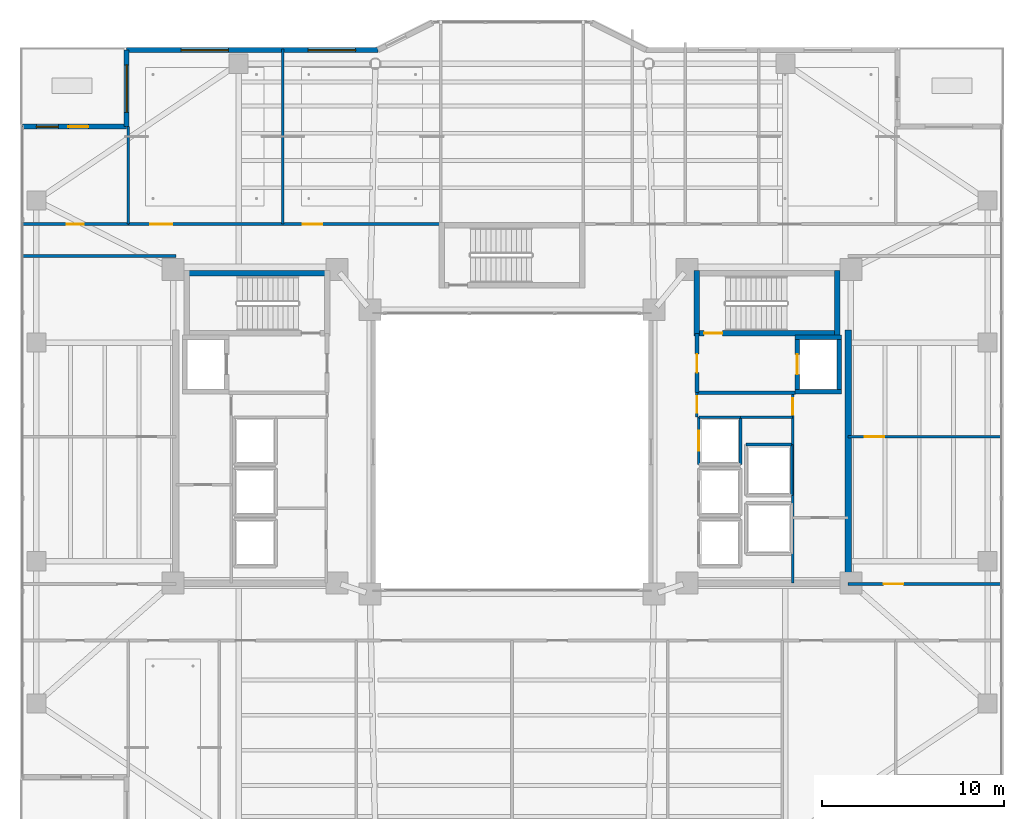
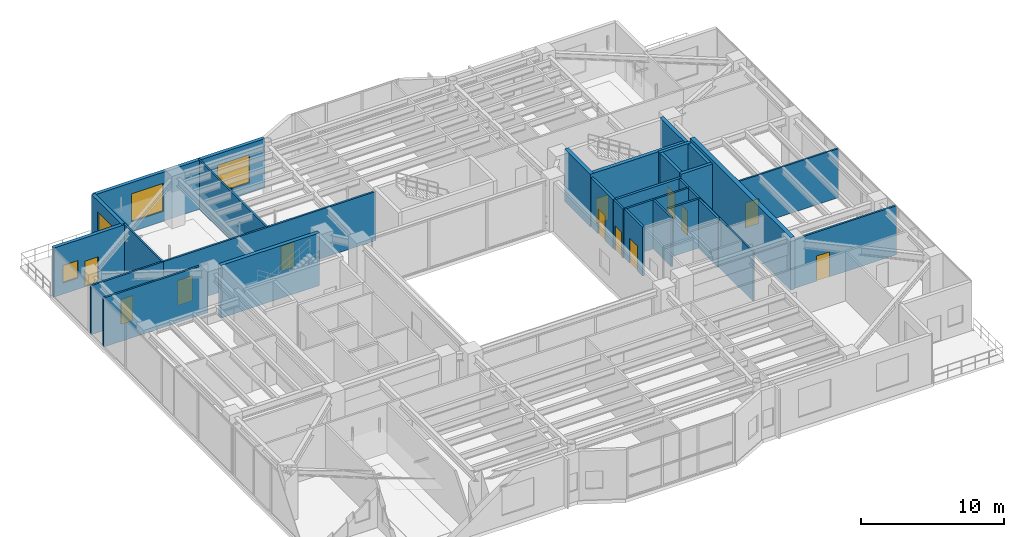
# One storey, part 29 of 38: 29 walls, 12 doors, 4 windows, 16 openings.
"""IFC4 building model written with IfcOpenShell, lengths in metres."""

from ifc_helpers import new_model, si_unit, direction, frame, frame_2d, origin, place, context, subcontext, project, spatial, rectangle, extrude, material, layer, layer_set, type_object, element, fill, save


model = new_model("IFC4")

# Units and contexts
model_context = context("Model", 3, precision=1e-05, world=origin(), true_north=direction((0.0, 1.0)))
body_context = subcontext(model_context, "Body", "Model", "MODEL_VIEW")
ifc_project = project(units=[si_unit("LENGTHUNIT", "METRE"), si_unit("AREAUNIT", "SQUARE_METRE"), si_unit("VOLUMEUNIT", "CUBIC_METRE"), si_unit("PLANEANGLEUNIT", "RADIAN"), si_unit("MASSUNIT", "GRAM", prefix="KILO")], contexts=[model_context])

# Site, building, storey
site_placement = place(None, origin())
site = spatial("IfcSite", under=ifc_project, at=site_placement, CompositionType="ELEMENT")
building_placement = place(site_placement, origin())
building = spatial("IfcBuilding", under=site, at=building_placement, Name="Tarnavaz Court Tower", CompositionType="ELEMENT")
storey_placement = place(building_placement, frame((0.0, 0.0, 123.0)))
storey = spatial("IfcBuildingStorey", under=building, at=storey_placement, Name="L33", CompositionType="ELEMENT", Elevation=123.0)

# Wall, opening, door
ifc_material_1 = material(Name="Concrete C60/75", Category="concrete")
ifc_layer_1 = layer(ifc_material_1, 0.25)
ifc_layer_set_1 = layer_set([ifc_layer_1], Name="Concrete C60/75")
wall_type_1 = type_object("IfcWallType", Name="WL-CORE-250-C60", PredefinedType="SHEAR", material=ifc_layer_set_1)
wall_1_placement = place(storey_placement, frame((15.64990234375, 3.175048828125, 0.0), z_axis=(0.0, 0.0, 1.0), x_axis=(0.0, 1.0, 0.0)))
wall_1 = element("IfcWall", 1, at=wall_1_placement, inside=storey, type_object=wall_type_1, Name="L33 Lift FL-E1 Shaft Wall 033", PredefinedType="SHEAR", context=body_context, shape_type="SweptSolid", body=[
    extrude(rectangle(XDim=3.25, YDim=0.25, at=frame_2d((1.625, 0.0))), origin(), (0.0, 0.0, 1.0), 4.5),
])
opening_1_placement = place(wall_1_placement, frame((1.074951171875, 0.0, 0.0)))
opening_1 = element("IfcOpeningElement", 2, at=opening_1_placement, cuts=wall_1, Name="Opening LD1", PredefinedType="OPENING", context=body_context, shape_type="SweptSolid", body=[
    extrude(rectangle(XDim=1.10009765625, YDim=2.14990234375, at=frame_2d((0.550048828125, 1.074951171875))), frame((0.0, 0.135009765625, 0.0), z_axis=(0.0, -1.0, 0.0), x_axis=(1.0, 0.0, 0.0)), (0.0, 0.0, 1.0), 0.27001953125),
])
ifc_material_2 = material(Name="Stainless Steel", Category="steel")
door_type_1 = type_object("IfcDoorType", Name="DR-LD-1100", OperationType="NOTDEFINED", PredefinedType="DOOR", material=ifc_material_2)
door_1_placement = place(opening_1_placement, origin())
door_1 = element("IfcDoor", 3, at=door_1_placement, inside=storey, type_object=door_type_1, Name="L33 Lift Landing Door LD-FL-E1", OperationType="SLIDING_TO_LEFT", OverallHeight=2.14990234375, OverallWidth=1.10009765625, PredefinedType="DOOR", context=body_context, shape_type="SweptSolid", body=[
    extrude(rectangle(XDim=1.10009765625, YDim=2.14990234375, at=frame_2d((0.550048828125, 1.074951171875))), frame((0.0, 0.02490234375, 0.0), z_axis=(0.0, -1.0, 0.0), x_axis=(1.0, 0.0, 0.0)), (0.0, 0.0, 1.0), 0.050048828125),
])
fill(opening_1, door_1)

# Walls
wall_2_placement = place(storey_placement, frame((17.949951171875, 3.175048828125, 0.0), z_axis=(0.0, 0.0, 1.0), x_axis=(0.0, 1.0, 0.0)))
element("IfcWall", 4, at=wall_2_placement, inside=storey, type_object=wall_type_1, Name="L33 Lift FL-E1 Shaft Wall 034", PredefinedType="SHEAR", context=body_context, shape_type="SweptSolid", body=[
    extrude(rectangle(XDim=3.25, YDim=0.25, at=frame_2d((1.625, 0.0))), origin(), (0.0, 0.0, 1.0), 4.5),
])
for number, where, z_axis, x_axis, name in (
    (5, (15.52490234375, 3.300048828125, 0.0), (0.0, 0.0, 1.0), (1.0, 0.0, 0.0), "L33 Lift FL-E1 Shaft Wall 035"),
    (6, (15.52490234375, 6.300048828125, 0.0), (0.0, 0.0, 1.0), (1.0, 0.0, 0.0), "L33 Lift FL-E1 Shaft Wall 036"),
):
    element("IfcWall", number, at=place(storey_placement, frame(where, z_axis=z_axis, x_axis=x_axis)), inside=storey, type_object=wall_type_1, Name=name, PredefinedType="SHEAR", context=body_context, shape_type="SweptSolid", body=[
        extrude(rectangle(XDim=2.550048828125, YDim=0.25, at=frame_2d((1.27490234375, 0.0))), origin(), (0.0, 0.0, 1.0), 4.5),
    ])
ifc_layer_2 = layer(ifc_material_1, 0.300048828125)
ifc_layer_set_2 = layer_set([ifc_layer_2], Name="Concrete C60/75")
wall_type_2 = type_object("IfcWallType", Name="WL-CORE-300-C60", PredefinedType="SHEAR", material=ifc_layer_set_2)
wall_3_placement = place(storey_placement, frame((-18.0, 9.7900390625, 0.0), z_axis=(0.0, 0.0, 1.0), x_axis=(1.0, 0.0, 0.0)))
element("IfcWall", 7, at=wall_3_placement, inside=storey, type_object=wall_type_2, Name="L33 West Stair Core Wall 001", PredefinedType="SHEAR", context=body_context, shape_type="SweptSolid", body=[
    extrude(rectangle(XDim=8.0, YDim=0.300048828125, at=frame_2d((4.0, 0.0))), origin(), (0.0, 0.0, 1.0), 4.5),
])

# Wall, opening, door
wall_4_placement = place(storey_placement, frame((10.0, 6.5, 0.0), z_axis=(0.0, 0.0, 1.0), x_axis=(1.0, 0.0, 0.0)))
wall_4 = element("IfcWall", 8, at=wall_4_placement, inside=storey, type_object=wall_type_2, Name="L33 East Stair Core Wall 006", PredefinedType="SHEAR", context=body_context, shape_type="SweptSolid", body=[
    extrude(rectangle(XDim=8.0, YDim=0.300048828125, at=frame_2d((4.0, 0.0))), origin(), (0.0, 0.0, 1.0), 4.5),
])
opening_2_placement = place(wall_4_placement, frame((0.550048828125, 0.0, 0.0)))
opening_2 = element("IfcOpeningElement", 9, at=opening_2_placement, cuts=wall_4, Name="Opening D01", PredefinedType="OPENING", context=body_context, shape_type="SweptSolid", body=[
    extrude(rectangle(XDim=1.0, YDim=2.14990234375, at=frame_2d((0.5, 1.074951171875))), frame((0.0, 0.159912109375, 0.0), z_axis=(0.0, -1.0, 0.0), x_axis=(1.0, 0.0, 0.0)), (0.0, 0.0, 1.0), 0.320068359375),
])
ifc_material_3 = material(Name="Fire-Rated Hardwood Timber Core", Category="wood")
door_type_2 = type_object("IfcDoorType", Name="DR-FD90-1000", OperationType="NOTDEFINED", PredefinedType="DOOR", material=ifc_material_3)
door_2_placement = place(opening_2_placement, origin())
door_2 = element("IfcDoor", 10, at=door_2_placement, inside=storey, type_object=door_type_2, Name="L33 Stair ST-E1 Exit Door", OperationType="SINGLE_SWING_RIGHT", OverallHeight=2.14990234375, OverallWidth=1.0, PredefinedType="DOOR", context=body_context, shape_type="SweptSolid", body=[
    extrude(rectangle(XDim=1.0, YDim=2.14990234375, at=frame_2d((0.5, 1.074951171875))), frame((0.0, 0.02490234375, 0.0), z_axis=(0.0, -1.0, 0.0), x_axis=(1.0, 0.0, 0.0)), (0.0, 0.0, 1.0), 0.050048828125),
])
fill(opening_2, door_2)

# Walls
for number, where, z_axis, x_axis, name in (
    (11, (10.14990234375, 6.35009765625, 0.0), (0.0, 0.0, 1.0), (0.0, 1.0, 0.0), "L33 East Stair Core Wall 007"),
    (12, (17.85009765625, 6.35009765625, 0.0), (0.0, 0.0, 1.0), (0.0, 1.0, 0.0), "L33 East Stair Core Wall 008"),
):
    element("IfcWall", number, at=place(storey_placement, frame(where, z_axis=z_axis, x_axis=x_axis)), inside=storey, type_object=wall_type_2, Name=name, PredefinedType="SHEAR", context=body_context, shape_type="SweptSolid", body=[
        extrude(rectangle(XDim=3.58984375, YDim=0.300048828125, at=frame_2d((1.794921875, 0.0))), origin(), (0.0, 0.0, 1.0), 4.5),
    ])
ifc_layer_3 = layer(ifc_material_1, 0.35009765625)
ifc_layer_set_3 = layer_set([ifc_layer_3], Name="Concrete C60/75")
wall_type_3 = type_object("IfcWallType", Name="WL-CORE-350-C60", PredefinedType="SHEAR", material=ifc_layer_set_3)
wall_5_placement = place(storey_placement, frame((18.449951171875, -7.375, 0.0), z_axis=(0.0, 0.0, 1.0), x_axis=(0.0, 1.0, 0.0)))
element("IfcWall", 13, at=wall_5_placement, inside=storey, type_object=wall_type_3, Name="L33 East Core Shear Wall 059", PredefinedType="SHEAR", context=body_context, shape_type="SweptSolid", body=[
    extrude(rectangle(XDim=14.050048828125, YDim=0.35009765625, at=frame_2d((7.02490234375, 0.0))), origin(), (0.0, 0.0, 1.0), 4.5),
])

# Wall, openings, door, window
ifc_material_4 = material(Name="Precast Concrete C40/50", Category="concrete")
ifc_layer_4 = layer(ifc_material_4, 0.280029296875)
ifc_layer_set_4 = layer_set([ifc_layer_4], Name="Precast Concrete C40/50")
wall_type_4 = type_object("IfcWallType", Name="WL-EXT-280", PredefinedType="SOLIDWALL", material=ifc_layer_set_4)
wall_6_placement = place(storey_placement, frame((-26.85009765625, 17.85009765625, 0.0), z_axis=(0.0, 0.0, 1.0), x_axis=(1.0, 0.0, 0.0)))
wall_6 = element("IfcWall", 14, at=wall_6_placement, inside=storey, type_object=wall_type_4, Name="L33 Exterior Terracotta Facade Wall 03", PredefinedType="SOLIDWALL", context=body_context, shape_type="SweptSolid", body=[
    extrude(rectangle(XDim=5.7001953125, YDim=0.280029296875, at=frame_2d((2.85009765625, 0.0))), origin(), (0.0, 0.0, 1.0), 4.199951171875),
])
opening_3_placement = place(wall_6_placement, frame((2.5, 0.0, 0.0)))
opening_3 = element("IfcOpeningElement", 15, at=opening_3_placement, cuts=wall_6, Name="Opening TD1", PredefinedType="OPENING", context=body_context, shape_type="SweptSolid", body=[
    extrude(rectangle(XDim=1.10009765625, YDim=2.199951171875, at=frame_2d((0.550048828125, 1.10009765625))), frame((0.0, 0.14990234375, 0.0), z_axis=(0.0, -1.0, 0.0), x_axis=(1.0, 0.0, 0.0)), (0.0, 0.0, 1.0), 0.300048828125),
])
opening_4_placement = place(wall_6_placement, frame((0.7548828125, 0.0, 0.949951171875)))
opening_4 = element("IfcOpeningElement", 16, at=opening_4_placement, cuts=wall_6, Name="Opening W05", PredefinedType="OPENING", context=body_context, shape_type="SweptSolid", body=[
    extrude(rectangle(XDim=1.199951171875, YDim=1.5, at=frame_2d((0.60009765625, 0.75))), frame((0.0, 0.14990234375, 0.0), z_axis=(0.0, -1.0, 0.0), x_axis=(1.0, 0.0, 0.0)), (0.0, 0.0, 1.0), 0.300048828125),
])
ifc_material_5 = material(Name="Thermally Broken Aluminium and Laminated Glass", Category="aluminium")
door_type_3 = type_object("IfcDoorType", Name="DR-TERR-1100", OperationType="NOTDEFINED", PredefinedType="DOOR", material=ifc_material_5)
door_3_placement = place(opening_3_placement, origin())
door_3 = element("IfcDoor", 17, at=door_3_placement, inside=storey, type_object=door_type_3, Name="L33 Sky Terrace Access Door 2", OperationType="SINGLE_SWING_RIGHT", OverallHeight=2.199951171875, OverallWidth=1.10009765625, PredefinedType="DOOR", context=body_context, shape_type="SweptSolid", body=[
    extrude(rectangle(XDim=1.10009765625, YDim=2.199951171875, at=frame_2d((0.550048828125, 1.10009765625))), frame((0.0, 0.02490234375, 0.0), z_axis=(0.0, -1.0, 0.0), x_axis=(1.0, 0.0, 0.0)), (0.0, 0.0, 1.0), 0.050048828125),
])
fill(opening_3, door_3)
ifc_material_6 = material(Name="Double-Glazed Solar Low-E Glass", Category="glass")
window_type_1 = type_object("IfcWindowType", Name="WN-APT-1200", PartitioningType="SINGLE_PANEL", PredefinedType="WINDOW", material=ifc_material_6)
window_1_placement = place(opening_4_placement, origin())
window_1 = element("IfcWindow", 18, at=window_1_placement, inside=storey, type_object=window_type_1, Name="L33 L33 NW Terrace Salon Window", OverallHeight=1.5, OverallWidth=1.199951171875, PartitioningType="SINGLE_PANEL", PredefinedType="WINDOW", context=body_context, shape_type="SweptSolid", body=[
    extrude(rectangle(XDim=1.199951171875, YDim=1.5, at=frame_2d((0.60009765625, 0.75))), frame((0.0, 0.030029296875, 0.0), z_axis=(0.0, -1.0, 0.0), x_axis=(1.0, 0.0, 0.0)), (0.0, 0.0, 1.0), 0.06005859375),
])
fill(opening_4, window_1)

# Wall, opening, window
wall_7_placement = place(storey_placement, frame((-21.14990234375, 17.85009765625, 0.0), z_axis=(0.0, 0.0, 1.0), x_axis=(0.0, 1.0, 0.0)))
wall_7 = element("IfcWall", 19, at=wall_7_placement, inside=storey, type_object=wall_type_4, Name="L33 Exterior Terracotta Facade Wall 04", PredefinedType="SOLIDWALL", context=body_context, shape_type="SweptSolid", body=[
    extrude(rectangle(XDim=4.199951171875, YDim=0.280029296875, at=frame_2d((2.10009765625, 0.0))), origin(), (0.0, 0.0, 1.0), 4.199951171875),
])
opening_5_placement = place(wall_7_placement, frame((0.7822265625, 0.0, 0.85009765625)))
opening_5 = element("IfcOpeningElement", 20, at=opening_5_placement, cuts=wall_7, Name="Opening W11", PredefinedType="OPENING", context=body_context, shape_type="SweptSolid", body=[
    extrude(rectangle(XDim=2.60009765625, YDim=2.39990234375, at=frame_2d((1.300048828125, 1.199951171875))), frame((0.0, 0.14990234375, 0.0), z_axis=(0.0, -1.0, 0.0), x_axis=(1.0, 0.0, 0.0)), (0.0, 0.0, 1.0), 0.300048828125),
])
window_type_2 = type_object("IfcWindowType", Name="WN-COM-2600", PartitioningType="TRIPLE_PANEL_VERTICAL", PredefinedType="WINDOW", material=ifc_material_6)
window_2_placement = place(opening_5_placement, origin())
window_2 = element("IfcWindow", 21, at=window_2_placement, inside=storey, type_object=window_type_2, Name="L33 L33 Community Banquet Assembly Hall Window", OverallHeight=2.39990234375, OverallWidth=2.60009765625, PartitioningType="SINGLE_PANEL", PredefinedType="WINDOW", context=body_context, shape_type="SweptSolid", body=[
    extrude(rectangle(XDim=2.60009765625, YDim=2.39990234375, at=frame_2d((1.300048828125, 1.199951171875))), frame((0.0, 0.030029296875, 0.0), z_axis=(0.0, -1.0, 0.0), x_axis=(1.0, 0.0, 0.0)), (0.0, 0.0, 1.0), 0.06005859375),
])
fill(opening_5, window_2)

# Wall, openings, windows
wall_8_placement = place(storey_placement, frame((-21.14990234375, 22.050048828125, 0.0), z_axis=(0.0, 0.0, 1.0), x_axis=(1.0, 0.0, 0.0)))
wall_8 = element("IfcWall", 22, at=wall_8_placement, inside=storey, type_object=wall_type_4, Name="L33 Exterior Terracotta Facade Wall 05", PredefinedType="SOLIDWALL", context=body_context, shape_type="SweptSolid", body=[
    extrude(rectangle(XDim=13.7998046875, YDim=0.280029296875, at=frame_2d((6.89990234375, 0.0))), origin(), (0.0, 0.0, 1.0), 4.199951171875),
])
opening_6_placement = place(wall_8_placement, frame((2.990478515625, 0.0, 0.85009765625)))
opening_6 = element("IfcOpeningElement", 23, at=opening_6_placement, cuts=wall_8, Name="Opening W11", PredefinedType="OPENING", context=body_context, shape_type="SweptSolid", body=[
    extrude(rectangle(XDim=2.60009765625, YDim=2.39990234375, at=frame_2d((1.300048828125, 1.199951171875))), frame((0.0, 0.14990234375, 0.0), z_axis=(0.0, -1.0, 0.0), x_axis=(1.0, 0.0, 0.0)), (0.0, 0.0, 1.0), 0.300048828125),
])
opening_7_placement = place(wall_8_placement, frame((9.9658203125, 0.0, 0.85009765625)))
opening_7 = element("IfcOpeningElement", 24, at=opening_7_placement, cuts=wall_8, Name="Opening W11", PredefinedType="OPENING", context=body_context, shape_type="SweptSolid", body=[
    extrude(rectangle(XDim=2.60009765625, YDim=2.39990234375, at=frame_2d((1.300048828125, 1.199951171875))), frame((0.0, 0.14990234375, 0.0), z_axis=(0.0, -1.0, 0.0), x_axis=(1.0, 0.0, 0.0)), (0.0, 0.0, 1.0), 0.300048828125),
])
window_3_placement = place(opening_6_placement, origin())
window_3 = element("IfcWindow", 25, at=window_3_placement, inside=storey, type_object=window_type_2, Name="L33 L33 Community Banquet Assembly Hall Window", OverallHeight=2.39990234375, OverallWidth=2.60009765625, PartitioningType="SINGLE_PANEL", PredefinedType="WINDOW", context=body_context, shape_type="SweptSolid", body=[
    extrude(rectangle(XDim=2.60009765625, YDim=2.39990234375, at=frame_2d((1.300048828125, 1.199951171875))), frame((0.0, 0.030029296875, 0.0), z_axis=(0.0, -1.0, 0.0), x_axis=(1.0, 0.0, 0.0)), (0.0, 0.0, 1.0), 0.06005859375),
])
fill(opening_6, window_3)
window_4_placement = place(opening_7_placement, origin())
window_4 = element("IfcWindow", 26, at=window_4_placement, inside=storey, type_object=window_type_2, Name="L33 L33 Resident Study Library Window", OverallHeight=2.39990234375, OverallWidth=2.60009765625, PartitioningType="SINGLE_PANEL", PredefinedType="WINDOW", context=body_context, shape_type="SweptSolid", body=[
    extrude(rectangle(XDim=2.60009765625, YDim=2.39990234375, at=frame_2d((1.300048828125, 1.199951171875))), frame((0.0, 0.030029296875, 0.0), z_axis=(0.0, -1.0, 0.0), x_axis=(1.0, 0.0, 0.0)), (0.0, 0.0, 1.0), 0.06005859375),
])
fill(opening_7, window_4)

# Wall, openings, doors
ifc_material_7 = material(Name="Gypsum Fire-Board on Acoustic Metal Stud", Category="masonry")
ifc_layer_5 = layer(ifc_material_7, 0.14990234375)
ifc_layer_set_5 = layer_set([ifc_layer_5], Name="Gypsum Fire-Board on Acoustic Metal Stud")
wall_type_5 = type_object("IfcWallType", Name="WL-FIRE-150", PredefinedType="PARTITIONING", material=ifc_layer_set_5)
wall_9_placement = place(storey_placement, frame((-21.050048828125, 12.5, 0.0), z_axis=(0.0, 0.0, 1.0), x_axis=(1.0, 0.0, 0.0)))
wall_9 = element("IfcWall", 27, at=wall_9_placement, inside=storey, type_object=wall_type_5, Name="L33 NW Wing Corridor Wall 071", PredefinedType="PARTITIONING", context=body_context, shape_type="SweptSolid", body=[
    extrude(rectangle(XDim=17.199951171875, YDim=0.14990234375, at=frame_2d((8.60009765625, 0.0))), origin(), (0.0, 0.0, 1.0), 4.199951171875),
])
opening_8_placement = place(wall_9_placement, frame((1.199951171875, 0.0, 0.0)))
opening_8 = element("IfcOpeningElement", 28, at=opening_8_placement, cuts=wall_9, Name="Opening D11", PredefinedType="OPENING", context=body_context, shape_type="SweptSolid", body=[
    extrude(rectangle(XDim=1.199951171875, YDim=2.14990234375, at=frame_2d((0.60009765625, 1.074951171875))), frame((0.0, 0.0849609375, 0.0), z_axis=(0.0, -1.0, 0.0), x_axis=(1.0, 0.0, 0.0)), (0.0, 0.0, 1.0), 0.169921875),
])
opening_9_placement = place(wall_9_placement, frame((9.56494140625, 0.0, 0.0)))
opening_9 = element("IfcOpeningElement", 29, at=opening_9_placement, cuts=wall_9, Name="Opening D12", PredefinedType="OPENING", context=body_context, shape_type="SweptSolid", body=[
    extrude(rectangle(XDim=1.080078125, YDim=2.14990234375, at=frame_2d((0.5400390625, 1.074951171875))), frame((0.0, 0.0849609375, 0.0), z_axis=(0.0, -1.0, 0.0), x_axis=(1.0, 0.0, 0.0)), (0.0, 0.0, 1.0), 0.169921875),
])
ifc_material_8 = material(Name="Engineered Oak Timber", Category="wood")
door_type_4 = type_object("IfcDoorType", Name="DR-INT-1100", OperationType="NOTDEFINED", PredefinedType="DOOR", material=ifc_material_8)
door_4_placement = place(opening_9_placement, origin())
door_4 = element("IfcDoor", 30, at=door_4_placement, inside=storey, type_object=door_type_4, Name="L33 L33 Resident Study Library Door", OperationType="SINGLE_SWING_RIGHT", OverallHeight=2.14990234375, OverallWidth=1.080078125, PredefinedType="DOOR", context=body_context, shape_type="SweptSolid", body=[
    extrude(rectangle(XDim=1.080078125, YDim=2.14990234375, at=frame_2d((0.5400390625, 1.074951171875))), frame((0.0, 0.02490234375, 0.0), z_axis=(0.0, -1.0, 0.0), x_axis=(1.0, 0.0, 0.0)), (0.0, 0.0, 1.0), 0.050048828125),
])
fill(opening_9, door_4)
door_type_5 = type_object("IfcDoorType", Name="DR-INT-1200", OperationType="NOTDEFINED", PredefinedType="DOOR", material=ifc_material_8)
door_5_placement = place(opening_8_placement, origin())
door_5 = element("IfcDoor", 31, at=door_5_placement, inside=storey, type_object=door_type_5, Name="L33 L33 Community Banquet Assembly Hall Door", OperationType="SINGLE_SWING_LEFT", OverallHeight=2.14990234375, OverallWidth=1.199951171875, PredefinedType="DOOR", context=body_context, shape_type="SweptSolid", body=[
    extrude(rectangle(XDim=1.199951171875, YDim=2.14990234375, at=frame_2d((0.60009765625, 1.074951171875))), frame((0.0, 0.02490234375, 0.0), z_axis=(0.0, -1.0, 0.0), x_axis=(1.0, 0.0, 0.0)), (0.0, 0.0, 1.0), 0.050048828125),
])
fill(opening_8, door_5)

# Wall, opening, door
wall_10_placement = place(storey_placement, frame((18.449951171875, -7.25, 0.0), z_axis=(0.0, 0.0, 1.0), x_axis=(1.0, 0.0, 0.0)))
wall_10 = element("IfcWall", 32, at=wall_10_placement, inside=storey, type_object=wall_type_5, Name="L33 Interior Partition 088", PredefinedType="PARTITIONING", context=body_context, shape_type="SweptSolid", body=[
    extrude(rectangle(XDim=8.429931640625, YDim=0.14990234375, at=frame_2d((4.21484375, 0.0))), origin(), (0.0, 0.0, 1.0), 4.199951171875),
])
opening_10_placement = place(wall_10_placement, frame((1.949951171875, 0.0, 0.0)))
opening_10 = element("IfcOpeningElement", 33, at=opening_10_placement, cuts=wall_10, Name="Opening D12", PredefinedType="OPENING", context=body_context, shape_type="SweptSolid", body=[
    extrude(rectangle(XDim=1.080078125, YDim=2.14990234375, at=frame_2d((0.5400390625, 1.074951171875))), frame((0.0, 0.0849609375, 0.0), z_axis=(0.0, -1.0, 0.0), x_axis=(1.0, 0.0, 0.0)), (0.0, 0.0, 1.0), 0.169921875),
])
door_6_placement = place(opening_10_placement, origin())
door_6 = element("IfcDoor", 34, at=door_6_placement, inside=storey, type_object=door_type_4, Name="L33 East Suite Room 1 Door", OperationType="SINGLE_SWING_LEFT", OverallHeight=2.14990234375, OverallWidth=1.080078125, PredefinedType="DOOR", context=body_context, shape_type="SweptSolid", body=[
    extrude(rectangle(XDim=1.080078125, YDim=2.14990234375, at=frame_2d((0.5400390625, 1.074951171875))), frame((0.0, 0.02490234375, 0.0), z_axis=(0.0, -1.0, 0.0), x_axis=(1.0, 0.0, 0.0)), (0.0, 0.0, 1.0), 0.050048828125),
])
fill(opening_10, door_6)

# Wall
wall_11_placement = place(storey_placement, frame((-26.8798828125, 10.75, 0.0), z_axis=(0.0, 0.0, 1.0), x_axis=(1.0, 0.0, 0.0)))
element("IfcWall", 35, at=wall_11_placement, inside=storey, type_object=wall_type_5, Name="L33 Interior Partition 089", PredefinedType="PARTITIONING", context=body_context, shape_type="SweptSolid", body=[
    extrude(rectangle(XDim=8.429931640625, YDim=0.14990234375, at=frame_2d((4.21484375, 0.0))), origin(), (0.0, 0.0, 1.0), 4.199951171875),
])

# Wall, opening, door
wall_12_placement = place(storey_placement, frame((-26.8798828125, 12.5, 0.0), z_axis=(0.0, 0.0, 1.0), x_axis=(1.0, 0.0, 0.0)))
wall_12 = element("IfcWall", 36, at=wall_12_placement, inside=storey, type_object=wall_type_5, Name="L33 Interior Partition 095", PredefinedType="PARTITIONING", context=body_context, shape_type="SweptSolid", body=[
    extrude(rectangle(XDim=5.829833984375, YDim=0.14990234375, at=frame_2d((2.9150390625, 0.0))), origin(), (0.0, 0.0, 1.0), 4.199951171875),
])
opening_11_placement = place(wall_12_placement, frame((2.43994140625, 0.0, 0.0)))
opening_11 = element("IfcOpeningElement", 37, at=opening_11_placement, cuts=wall_12, Name="Opening D13", PredefinedType="OPENING", context=body_context, shape_type="SweptSolid", body=[
    extrude(rectangle(XDim=0.949951171875, YDim=2.14990234375, at=frame_2d((0.47509765625, 1.074951171875))), frame((0.0, 0.0849609375, 0.0), z_axis=(0.0, -1.0, 0.0), x_axis=(1.0, 0.0, 0.0)), (0.0, 0.0, 1.0), 0.169921875),
])
door_type_6 = type_object("IfcDoorType", Name="DR-INT-950", OperationType="NOTDEFINED", PredefinedType="DOOR", material=ifc_material_8)
door_7_placement = place(opening_11_placement, origin())
door_7 = element("IfcDoor", 38, at=door_7_placement, inside=storey, type_object=door_type_6, Name="L33 NW Terrace Salon Door", OperationType="SINGLE_SWING_LEFT", OverallHeight=2.14990234375, OverallWidth=0.949951171875, PredefinedType="DOOR", context=body_context, shape_type="SweptSolid", body=[
    extrude(rectangle(XDim=0.949951171875, YDim=2.14990234375, at=frame_2d((0.47509765625, 1.074951171875))), frame((0.0, 0.02490234375, 0.0), z_axis=(0.0, -1.0, 0.0), x_axis=(1.0, 0.0, 0.0)), (0.0, 0.0, 1.0), 0.050048828125),
])
fill(opening_11, door_7)

# Wall
ifc_material_9 = material(Name="Autoclaved Aerated Concrete Blockwork", Category="masonry")
ifc_layer_6 = layer(ifc_material_9, 0.199951171875)
ifc_layer_set_6 = layer_set([ifc_layer_6], Name="Autoclaved Aerated Concrete Blockwork")
wall_type_6 = type_object("IfcWallType", Name="WL-FIRE-200", PredefinedType="SOLIDWALL", material=ifc_layer_set_6)
wall_13_placement = place(storey_placement, frame((10.14990234375, 3.25, 0.0), z_axis=(0.0, 0.0, 1.0), x_axis=(1.0, 0.0, 0.0)))
element("IfcWall", 39, at=wall_13_placement, inside=storey, type_object=wall_type_6, Name="L33 East Firefighting Lobby Wall 015", PredefinedType="SOLIDWALL", context=body_context, shape_type="SweptSolid", body=[
    extrude(rectangle(XDim=5.400146484375, YDim=0.199951171875, at=frame_2d((2.7001953125, 0.0))), origin(), (0.0, 0.0, 1.0), 4.199951171875),
])

# Wall, opening, door
wall_14_placement = place(storey_placement, frame((10.14990234375, 3.25, 0.0), z_axis=(0.0, 0.0, 1.0), x_axis=(0.0, 1.0, 0.0)))
wall_14 = element("IfcWall", 40, at=wall_14_placement, inside=storey, type_object=wall_type_6, Name="L33 East Firefighting Lobby Wall 016", PredefinedType="SOLIDWALL", context=body_context, shape_type="SweptSolid", body=[
    extrude(rectangle(XDim=3.25, YDim=0.199951171875, at=frame_2d((1.625, 0.0))), origin(), (0.0, 0.0, 1.0), 4.199951171875),
])
opening_12_placement = place(wall_14_placement, frame((1.10009765625, 0.0, 0.0)))
opening_12 = element("IfcOpeningElement", 41, at=opening_12_placement, cuts=wall_14, Name="Opening D05", PredefinedType="OPENING", context=body_context, shape_type="SweptSolid", body=[
    extrude(rectangle(XDim=1.02001953125, YDim=2.14990234375, at=frame_2d((0.510009765625, 1.074951171875))), frame((0.0, 0.10986328125, 0.0), z_axis=(0.0, -1.0, 0.0), x_axis=(1.0, 0.0, 0.0)), (0.0, 0.0, 1.0), 0.219970703125),
])
door_type_7 = type_object("IfcDoorType", Name="DR-FD60-1000", OperationType="NOTDEFINED", PredefinedType="DOOR", material=ifc_material_3)
door_8_placement = place(opening_12_placement, origin())
door_8 = element("IfcDoor", 42, at=door_8_placement, inside=storey, type_object=door_type_7, Name="L33 East Firefighting Lobby Door", OperationType="SINGLE_SWING_LEFT", OverallHeight=2.14990234375, OverallWidth=1.02001953125, PredefinedType="DOOR", context=body_context, shape_type="SweptSolid", body=[
    extrude(rectangle(XDim=1.02001953125, YDim=2.14990234375, at=frame_2d((0.510009765625, 1.074951171875))), frame((0.0, 0.02490234375, 0.0), z_axis=(0.0, -1.0, 0.0), x_axis=(1.0, 0.0, 0.0)), (0.0, 0.0, 1.0), 0.050048828125),
])
fill(opening_12, door_8)

# Wall
ifc_material_10 = material(Name="Gypsum Plasterboard Acoustic Partition", Category="masonry")
ifc_layer_7 = layer(ifc_material_10, 0.139892578125)
ifc_layer_set_7 = layer_set([ifc_layer_7], Name="Gypsum Plasterboard Acoustic Partition")
wall_type_7 = type_object("IfcWallType", Name="WL-PART-150", PredefinedType="PARTITIONING", material=ifc_layer_set_7)
wall_15_placement = place(storey_placement, frame((12.550048828125, 1.89990234375, 0.0), z_axis=(0.0, 0.0, 1.0), x_axis=(1.0, 0.0, 0.0)))
element("IfcWall", 43, at=wall_15_placement, inside=storey, type_object=wall_type_7, Name="L33 Interior Partition 067", PredefinedType="PARTITIONING", context=body_context, shape_type="SweptSolid", body=[
    extrude(rectangle(XDim=2.849853515625, YDim=0.139892578125, at=frame_2d((1.4248046875, 0.0))), origin(), (0.0, 0.0, 1.0), 4.199951171875),
])

# Wall, opening, door
wall_16_placement = place(storey_placement, frame((10.14990234375, 1.919921875, 0.0), z_axis=(0.0, 0.0, 1.0), x_axis=(0.0, 1.0, 0.0)))
wall_16 = element("IfcWall", 44, at=wall_16_placement, inside=storey, type_object=wall_type_7, Name="L33 Interior Partition 068", PredefinedType="PARTITIONING", context=body_context, shape_type="SweptSolid", body=[
    extrude(rectangle(XDim=1.330078125, YDim=0.139892578125, at=frame_2d((0.6650390625, 0.0))), origin(), (0.0, 0.0, 1.0), 4.199951171875),
])
opening_13_placement = place(wall_16_placement, frame((0.219970703125, 0.0, 0.0)))
opening_13 = element("IfcOpeningElement", 45, at=opening_13_placement, cuts=wall_16, Name="Opening D09", PredefinedType="OPENING", context=body_context, shape_type="SweptSolid", body=[
    extrude(rectangle(XDim=0.89990234375, YDim=2.080078125, at=frame_2d((0.449951171875, 1.0400390625))), frame((0.0, 0.079833984375, 0.0), z_axis=(0.0, -1.0, 0.0), x_axis=(1.0, 0.0, 0.0)), (0.0, 0.0, 1.0), 0.159912109375),
])
door_type_8 = type_object("IfcDoorType", Name="DR-FD30-900", OperationType="NOTDEFINED", PredefinedType="DOOR", material=ifc_material_3)
door_9_placement = place(opening_13_placement, origin())
door_9 = element("IfcDoor", 46, at=door_9_placement, inside=storey, type_object=door_type_8, Name="L33 East Core Service Lobby Door", OperationType="SINGLE_SWING_RIGHT", OverallHeight=2.080078125, OverallWidth=0.89990234375, PredefinedType="DOOR", context=body_context, shape_type="SweptSolid", body=[
    extrude(rectangle(XDim=0.89990234375, YDim=2.080078125, at=frame_2d((0.449951171875, 1.0400390625))), frame((0.0, 0.02490234375, 0.0), z_axis=(0.0, -1.0, 0.0), x_axis=(1.0, 0.0, 0.0)), (0.0, 0.0, 1.0), 0.050048828125),
])
fill(opening_13, door_9)

wall_17_placement = place(storey_placement, frame((15.39990234375, -7.199951171875, 0.0), z_axis=(0.0, 0.0, 1.0), x_axis=(0.0, 1.0, 0.0)))
wall_17 = element("IfcWall", 47, at=wall_17_placement, inside=storey, type_object=wall_type_7, Name="L33 Interior Partition 069", PredefinedType="PARTITIONING", context=body_context, shape_type="SweptSolid", body=[
    extrude(rectangle(XDim=10.449951171875, YDim=0.139892578125, at=frame_2d((5.22509765625, 0.0))), origin(), (0.0, 0.0, 1.0), 4.199951171875),
])
opening_14_placement = place(wall_17_placement, frame((9.25, 0.0, 0.0)))
opening_14 = element("IfcOpeningElement", 48, at=opening_14_placement, cuts=wall_17, Name="Opening D09", PredefinedType="OPENING", context=body_context, shape_type="SweptSolid", body=[
    extrude(rectangle(XDim=0.89990234375, YDim=2.080078125, at=frame_2d((0.449951171875, 1.0400390625))), frame((0.0, 0.079833984375, 0.0), z_axis=(0.0, -1.0, 0.0), x_axis=(1.0, 0.0, 0.0)), (0.0, 0.0, 1.0), 0.159912109375),
])
door_10_placement = place(opening_14_placement, origin())
door_10 = element("IfcDoor", 49, at=door_10_placement, inside=storey, type_object=door_type_8, Name="L33 East Wet Riser Door", OperationType="SINGLE_SWING_LEFT", OverallHeight=2.080078125, OverallWidth=0.89990234375, PredefinedType="DOOR", context=body_context, shape_type="SweptSolid", body=[
    extrude(rectangle(XDim=0.89990234375, YDim=2.080078125, at=frame_2d((0.449951171875, 1.0400390625))), frame((0.0, 0.02490234375, 0.0), z_axis=(0.0, -1.0, 0.0), x_axis=(1.0, 0.0, 0.0)), (0.0, 0.0, 1.0), 0.050048828125),
])
fill(opening_14, door_10)

# Walls
wall_18_placement = place(storey_placement, frame((-12.5849609375, 12.5, 0.0), z_axis=(0.0, 0.0, 1.0), x_axis=(0.0, 1.0, 0.0)))
element("IfcWall", 50, at=wall_18_placement, inside=storey, type_object=wall_type_7, Name="L33 Interior Partition 077", PredefinedType="PARTITIONING", context=body_context, shape_type="SweptSolid", body=[
    extrude(rectangle(XDim=9.60009765625, YDim=0.139892578125, at=frame_2d((4.800048828125, 0.0))), origin(), (0.0, 0.0, 1.0), 4.199951171875),
])
wall_19_placement = place(storey_placement, frame((-21.050048828125, 12.5, 0.0), z_axis=(0.0, 0.0, 1.0), x_axis=(0.0, 1.0, 0.0)))
element("IfcWall", 51, at=wall_19_placement, inside=storey, type_object=wall_type_7, Name="L33 Interior Partition 093", PredefinedType="PARTITIONING", context=body_context, shape_type="SweptSolid", body=[
    extrude(rectangle(XDim=5.35009765625, YDim=0.139892578125, at=frame_2d((2.675048828125, 0.0))), origin(), (0.0, 0.0, 1.0), 4.199951171875),
])

# Wall, opening, door
wall_20_placement = place(storey_placement, frame((18.449951171875, 0.8291015625, 0.0), z_axis=(0.0, 0.0, 1.0), x_axis=(1.0, 0.0, 0.0)))
wall_20 = element("IfcWall", 52, at=wall_20_placement, inside=storey, type_object=wall_type_7, Name="L33 Interior Partition 100", PredefinedType="PARTITIONING", context=body_context, shape_type="SweptSolid", body=[
    extrude(rectangle(XDim=8.429931640625, YDim=0.139892578125, at=frame_2d((4.21484375, 0.0))), origin(), (0.0, 0.0, 1.0), 4.199951171875),
])
opening_15_placement = place(wall_20_placement, frame((0.89990234375, 0.0, 0.0)))
opening_15 = element("IfcOpeningElement", 53, at=opening_15_placement, cuts=wall_20, Name="Opening D12", PredefinedType="OPENING", context=body_context, shape_type="SweptSolid", body=[
    extrude(rectangle(XDim=1.080078125, YDim=2.14990234375, at=frame_2d((0.5400390625, 1.074951171875))), frame((0.0, 0.079833984375, 0.0), z_axis=(0.0, -1.0, 0.0), x_axis=(1.0, 0.0, 0.0)), (0.0, 0.0, 1.0), 0.159912109375),
])
door_11_placement = place(opening_15_placement, origin())
door_11 = element("IfcDoor", 54, at=door_11_placement, inside=storey, type_object=door_type_4, Name="L33 East Suite Room 2 Door", OperationType="SINGLE_SWING_RIGHT", OverallHeight=2.14990234375, OverallWidth=1.080078125, PredefinedType="DOOR", context=body_context, shape_type="SweptSolid", body=[
    extrude(rectangle(XDim=1.080078125, YDim=2.14990234375, at=frame_2d((0.5400390625, 1.074951171875))), frame((0.0, 0.02490234375, 0.0), z_axis=(0.0, -1.0, 0.0), x_axis=(1.0, 0.0, 0.0)), (0.0, 0.0, 1.0), 0.050048828125),
])
fill(opening_15, door_11)

ifc_layer_8 = layer(ifc_material_9, 0.159912109375)
ifc_layer_set_8 = layer_set([ifc_layer_8], Name="Autoclaved Aerated Concrete Blockwork")
wall_type_8 = type_object("IfcWallType", Name="WL-SHAFT-150", PredefinedType="SOLIDWALL", material=ifc_layer_set_8)
wall_21_placement = place(storey_placement, frame((10.25, -0.699951171875, 0.0), z_axis=(0.0, 0.0, 1.0), x_axis=(0.0, 1.0, 0.0)))
wall_21 = element("IfcWall", 55, at=wall_21_placement, inside=storey, type_object=wall_type_8, Name="L33 Lift PL-M3 Shaft Wall 045", PredefinedType="SOLIDWALL", context=body_context, shape_type="SweptSolid", body=[
    extrude(rectangle(XDim=2.599853515625, YDim=0.159912109375, at=frame_2d((1.2998046875, 0.0))), origin(), (0.0, 0.0, 1.0), 4.199951171875),
])
opening_16_placement = place(wall_21_placement, frame((0.75, 0.0, 0.0)))
opening_16 = element("IfcOpeningElement", 56, at=opening_16_placement, cuts=wall_21, Name="Opening LD1", PredefinedType="OPENING", context=body_context, shape_type="SweptSolid", body=[
    extrude(rectangle(XDim=1.10009765625, YDim=2.14990234375, at=frame_2d((0.550048828125, 1.074951171875))), frame((0.0, 0.08984375, 0.0), z_axis=(0.0, -1.0, 0.0), x_axis=(1.0, 0.0, 0.0)), (0.0, 0.0, 1.0), 0.179931640625),
])
door_12_placement = place(opening_16_placement, origin())
door_12 = element("IfcDoor", 57, at=door_12_placement, inside=storey, type_object=door_type_1, Name="L33 Lift Landing Door LD-PL-M3", OperationType="SLIDING_TO_LEFT", OverallHeight=2.14990234375, OverallWidth=1.10009765625, PredefinedType="DOOR", context=body_context, shape_type="SweptSolid", body=[
    extrude(rectangle(XDim=1.10009765625, YDim=2.14990234375, at=frame_2d((0.550048828125, 1.074951171875))), frame((0.0, 0.02490234375, 0.0), z_axis=(0.0, -1.0, 0.0), x_axis=(1.0, 0.0, 0.0)), (0.0, 0.0, 1.0), 0.050048828125),
])
fill(opening_16, door_12)

# Walls
wall_22_placement = place(storey_placement, frame((12.550048828125, -0.699951171875, 0.0), z_axis=(0.0, 0.0, 1.0), x_axis=(0.0, 1.0, 0.0)))
element("IfcWall", 58, at=wall_22_placement, inside=storey, type_object=wall_type_8, Name="L33 Lift PL-M3 Shaft Wall 046", PredefinedType="SOLIDWALL", context=body_context, shape_type="SweptSolid", body=[
    extrude(rectangle(XDim=2.599853515625, YDim=0.159912109375, at=frame_2d((1.2998046875, 0.0))), origin(), (0.0, 0.0, 1.0), 4.199951171875),
])
wall_23_placement = place(storey_placement, frame((10.25, 1.89990234375, 0.0), z_axis=(0.0, 0.0, 1.0), x_axis=(1.0, 0.0, 0.0)))
element("IfcWall", 59, at=wall_23_placement, inside=storey, type_object=wall_type_8, Name="L33 Lift PL-M3 Shaft Wall 048", PredefinedType="SOLIDWALL", context=body_context, shape_type="SweptSolid", body=[
    extrude(rectangle(XDim=2.300048828125, YDim=0.159912109375, at=frame_2d((1.14990234375, 0.0))), origin(), (0.0, 0.0, 1.0), 4.199951171875),
])
wall_24_placement = place(storey_placement, frame((15.35009765625, -2.39990234375, 0.0), z_axis=(0.0, 0.0, 1.0), x_axis=(0.0, 1.0, 0.0)))
element("IfcWall", 60, at=wall_24_placement, inside=storey, type_object=wall_type_8, Name="L33 Lift PL-OB2 Shaft Wall 054", PredefinedType="SOLIDWALL", context=body_context, shape_type="SweptSolid", body=[
    extrude(rectangle(XDim=2.7998046875, YDim=0.159912109375, at=frame_2d((1.39990234375, 0.0))), origin(), (0.0, 0.0, 1.0), 4.199951171875),
])
wall_25_placement = place(storey_placement, frame((12.85009765625, 0.39990234375, 0.0), z_axis=(0.0, 0.0, 1.0), x_axis=(1.0, 0.0, 0.0)))
element("IfcWall", 61, at=wall_25_placement, inside=storey, type_object=wall_type_8, Name="L33 Lift PL-OB2 Shaft Wall 056", PredefinedType="SOLIDWALL", context=body_context, shape_type="SweptSolid", body=[
    extrude(rectangle(XDim=2.5, YDim=0.159912109375, at=frame_2d((1.25, 0.0))), origin(), (0.0, 0.0, 1.0), 4.199951171875),
])

save(model, "model.ifc")
